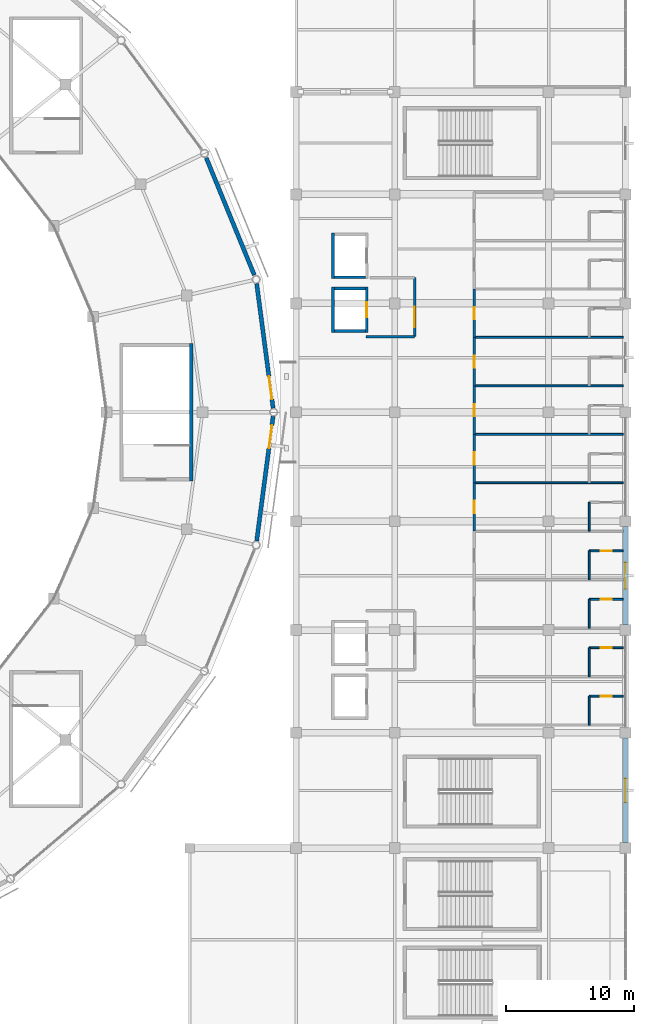
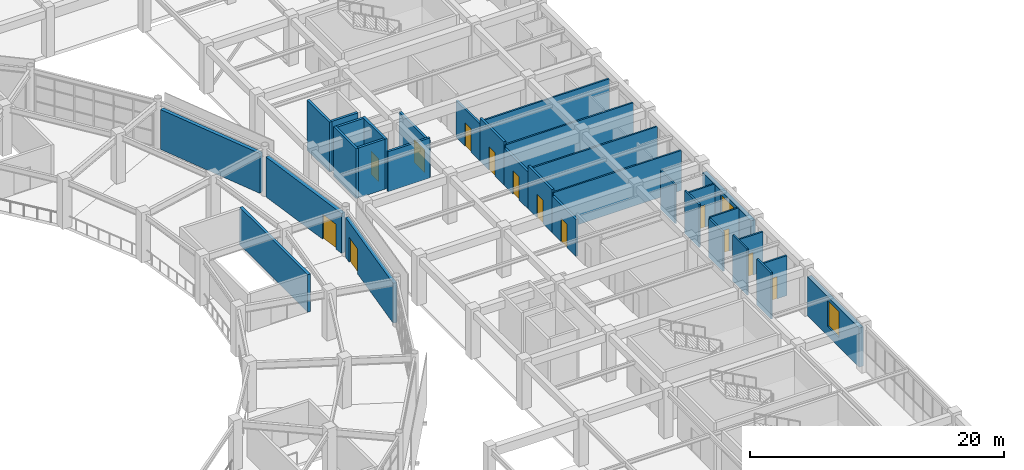
# One storey, part 88 of 112: 32 walls, 13 doors, 2 windows, 15 openings.
"""IFC4 building model written with IfcOpenShell, lengths in metres."""

from ifc_helpers import new_model, si_unit, direction, frame, frame_2d, origin, place, context, subcontext, project, spatial, rectangle, extrude, material, layer, layer_set, type_object, element, fill, save


model = new_model("IFC4")

# Units and contexts
model_context = context("Model", 3, precision=1e-05, world=origin(), true_north=direction((0.0, 1.0)))
body_context = subcontext(model_context, "Body", "Model", "MODEL_VIEW")
ifc_project = project(units=[si_unit("LENGTHUNIT", "METRE"), si_unit("AREAUNIT", "SQUARE_METRE"), si_unit("VOLUMEUNIT", "CUBIC_METRE"), si_unit("PLANEANGLEUNIT", "RADIAN"), si_unit("MASSUNIT", "GRAM", prefix="KILO")], contexts=[model_context])

# Site, building, storey
site_placement = place(None, origin())
site = spatial("IfcSite", under=ifc_project, at=site_placement, CompositionType="ELEMENT")
building_placement = place(site_placement, origin())
building = spatial("IfcBuilding", under=site, at=building_placement, Name="Cuetzalor Civic Arena", CompositionType="ELEMENT")
storey_placement = place(building_placement, frame((0.0, 0.0, 11.39990234375)))
storey = spatial("IfcBuildingStorey", under=building, at=storey_placement, Name="L02", CompositionType="ELEMENT", Elevation=11.39990234375)

# Wall, opening, door
ifc_material_1 = material(Name="Acoustic steel-stud gypsum partition", Category="steel")
ifc_layer_1 = layer(ifc_material_1, 0.14990234375)
ifc_layer_set_1 = layer_set([ifc_layer_1], Name="Acoustic steel-stud gypsum partition")
wall_type_1 = type_object("IfcWallType", Name="AcousticGypsumPartition_150", PredefinedType="PARTITIONING", material=ifc_layer_set_1)
wall_1_placement = place(storey_placement, frame((79.169921875, -22.14990234375, 0.0), z_axis=(0.0, 0.0, 1.0), x_axis=(1.0, 0.0, 0.0)))
wall_1 = element("IfcWall", 1, at=wall_1_placement, inside=storey, type_object=wall_type_1, Name="Interior Partition IWALL:L02:0317", PredefinedType="PARTITIONING", context=body_context, shape_type="SweptSolid", body=[
    extrude(rectangle(XDim=2.650146484375, YDim=0.14990234375, at=frame_2d((1.3251953125, 0.0))), origin(), (0.0, 0.0, 1.0), 3.84521484375),
])
opening_1_placement = place(wall_1_placement, frame((0.89990234375, 0.0, 0.0)))
opening_1 = element("IfcOpeningElement", 2, at=opening_1_placement, cuts=wall_1, Name="Opening ID-01", PredefinedType="OPENING", context=body_context, shape_type="SweptSolid", body=[
    extrude(rectangle(XDim=0.85009765625, YDim=2.14990234375, at=frame_2d((0.425048828125, 1.074951171875))), frame((0.0, 0.0849609375, 0.0), z_axis=(0.0, -1.0, 0.0), x_axis=(1.0, 0.0, 0.0)), (0.0, 0.0, 1.0), 0.169921875),
])
ifc_material_2 = material(Name="Painted steel frame and solid timber leaf", Category="steel")
door_type_1 = type_object("IfcDoorType", Name="InteriorSingleDoor_850x2150", OperationType="NOTDEFINED", PredefinedType="DOOR", material=ifc_material_2)
door_1_placement = place(opening_1_placement, origin())
door_1 = element("IfcDoor", 3, at=door_1_placement, inside=storey, type_object=door_type_1, Name="Door to Suite Bathroom 212", OperationType="SINGLE_SWING_LEFT", OverallHeight=2.14990234375, OverallWidth=0.85009765625, PredefinedType="DOOR", context=body_context, shape_type="SweptSolid", body=[
    extrude(rectangle(XDim=0.85009765625, YDim=2.14990234375, at=frame_2d((0.425048828125, 1.074951171875))), frame((0.0, 0.02490234375, 0.0), z_axis=(0.0, -1.0, 0.0), x_axis=(1.0, 0.0, 0.0)), (0.0, 0.0, 1.0), 0.050048828125),
])
fill(opening_1, door_1)

# Wall
wall_2_placement = place(storey_placement, frame((79.169921875, -24.39990234375, 0.0), z_axis=(0.0, 0.0, 1.0), x_axis=(0.0, 1.0, 0.0)))
element("IfcWall", 4, at=wall_2_placement, inside=storey, type_object=wall_type_1, Name="Interior Partition IWALL:L02:0318", PredefinedType="PARTITIONING", context=body_context, shape_type="SweptSolid", body=[
    extrude(rectangle(XDim=2.25, YDim=0.14990234375, at=frame_2d((1.125, 0.0))), origin(), (0.0, 0.0, 1.0), 4.440185546875),
])

# Wall, opening, door
wall_3_placement = place(storey_placement, frame((79.169921875, -18.3701171875, 0.0), z_axis=(0.0, 0.0, 1.0), x_axis=(1.0, 0.0, 0.0)))
wall_3 = element("IfcWall", 5, at=wall_3_placement, inside=storey, type_object=wall_type_1, Name="Interior Partition IWALL:L02:0321", PredefinedType="PARTITIONING", context=body_context, shape_type="SweptSolid", body=[
    extrude(rectangle(XDim=2.650146484375, YDim=0.14990234375, at=frame_2d((1.3251953125, 0.0))), origin(), (0.0, 0.0, 1.0), 3.84521484375),
])
opening_2_placement = place(wall_3_placement, frame((0.89990234375, 0.0, 0.0)))
opening_2 = element("IfcOpeningElement", 6, at=opening_2_placement, cuts=wall_3, Name="Opening ID-01", PredefinedType="OPENING", context=body_context, shape_type="SweptSolid", body=[
    extrude(rectangle(XDim=0.85009765625, YDim=2.14990234375, at=frame_2d((0.425048828125, 1.074951171875))), frame((0.0, 0.0849609375, 0.0), z_axis=(0.0, -1.0, 0.0), x_axis=(1.0, 0.0, 0.0)), (0.0, 0.0, 1.0), 0.169921875),
])
door_2_placement = place(opening_2_placement, origin())
door_2 = element("IfcDoor", 7, at=door_2_placement, inside=storey, type_object=door_type_1, Name="Door to Suite Bathroom 213", OperationType="SINGLE_SWING_LEFT", OverallHeight=2.14990234375, OverallWidth=0.85009765625, PredefinedType="DOOR", context=body_context, shape_type="SweptSolid", body=[
    extrude(rectangle(XDim=0.85009765625, YDim=2.14990234375, at=frame_2d((0.425048828125, 1.074951171875))), frame((0.0, 0.02490234375, 0.0), z_axis=(0.0, -1.0, 0.0), x_axis=(1.0, 0.0, 0.0)), (0.0, 0.0, 1.0), 0.050048828125),
])
fill(opening_2, door_2)

# Wall
wall_4_placement = place(storey_placement, frame((79.169921875, -20.6201171875, 0.0), z_axis=(0.0, 0.0, 1.0), x_axis=(0.0, 1.0, 0.0)))
element("IfcWall", 8, at=wall_4_placement, inside=storey, type_object=wall_type_1, Name="Interior Partition IWALL:L02:0322", PredefinedType="PARTITIONING", context=body_context, shape_type="SweptSolid", body=[
    extrude(rectangle(XDim=2.25, YDim=0.14990234375, at=frame_2d((1.125, 0.0))), origin(), (0.0, 0.0, 1.0), 4.440185546875),
])

# Wall, opening, door
wall_5_placement = place(storey_placement, frame((79.169921875, -14.590087890625, 0.0), z_axis=(0.0, 0.0, 1.0), x_axis=(1.0, 0.0, 0.0)))
wall_5 = element("IfcWall", 9, at=wall_5_placement, inside=storey, type_object=wall_type_1, Name="Interior Partition IWALL:L02:0325", PredefinedType="PARTITIONING", context=body_context, shape_type="SweptSolid", body=[
    extrude(rectangle(XDim=2.650146484375, YDim=0.14990234375, at=frame_2d((1.3251953125, 0.0))), origin(), (0.0, 0.0, 1.0), 3.84521484375),
])
opening_3_placement = place(wall_5_placement, frame((0.89990234375, 0.0, 0.0)))
opening_3 = element("IfcOpeningElement", 10, at=opening_3_placement, cuts=wall_5, Name="Opening ID-01", PredefinedType="OPENING", context=body_context, shape_type="SweptSolid", body=[
    extrude(rectangle(XDim=0.85009765625, YDim=2.14990234375, at=frame_2d((0.425048828125, 1.074951171875))), frame((0.0, 0.0849609375, 0.0), z_axis=(0.0, -1.0, 0.0), x_axis=(1.0, 0.0, 0.0)), (0.0, 0.0, 1.0), 0.169921875),
])
door_3_placement = place(opening_3_placement, origin())
door_3 = element("IfcDoor", 11, at=door_3_placement, inside=storey, type_object=door_type_1, Name="Door to Suite Bathroom 214", OperationType="SINGLE_SWING_LEFT", OverallHeight=2.14990234375, OverallWidth=0.85009765625, PredefinedType="DOOR", context=body_context, shape_type="SweptSolid", body=[
    extrude(rectangle(XDim=0.85009765625, YDim=2.14990234375, at=frame_2d((0.425048828125, 1.074951171875))), frame((0.0, 0.02490234375, 0.0), z_axis=(0.0, -1.0, 0.0), x_axis=(1.0, 0.0, 0.0)), (0.0, 0.0, 1.0), 0.050048828125),
])
fill(opening_3, door_3)

# Wall
wall_6_placement = place(storey_placement, frame((79.169921875, -16.840087890625, 0.0), z_axis=(0.0, 0.0, 1.0), x_axis=(0.0, 1.0, 0.0)))
element("IfcWall", 12, at=wall_6_placement, inside=storey, type_object=wall_type_1, Name="Interior Partition IWALL:L02:0326", PredefinedType="PARTITIONING", context=body_context, shape_type="SweptSolid", body=[
    extrude(rectangle(XDim=2.25, YDim=0.14990234375, at=frame_2d((1.125, 0.0))), origin(), (0.0, 0.0, 1.0), 3.7451171875),
])

# Wall, opening, door
wall_7_placement = place(storey_placement, frame((79.169921875, -10.81005859375, 0.0), z_axis=(0.0, 0.0, 1.0), x_axis=(1.0, 0.0, 0.0)))
wall_7 = element("IfcWall", 13, at=wall_7_placement, inside=storey, type_object=wall_type_1, Name="Interior Partition IWALL:L02:0329", PredefinedType="PARTITIONING", context=body_context, shape_type="SweptSolid", body=[
    extrude(rectangle(XDim=2.650146484375, YDim=0.14990234375, at=frame_2d((1.3251953125, 0.0))), origin(), (0.0, 0.0, 1.0), 3.84521484375),
])
opening_4_placement = place(wall_7_placement, frame((0.89990234375, 0.0, 0.0)))
opening_4 = element("IfcOpeningElement", 14, at=opening_4_placement, cuts=wall_7, Name="Opening ID-01", PredefinedType="OPENING", context=body_context, shape_type="SweptSolid", body=[
    extrude(rectangle(XDim=0.85009765625, YDim=2.14990234375, at=frame_2d((0.425048828125, 1.074951171875))), frame((0.0, 0.0849609375, 0.0), z_axis=(0.0, -1.0, 0.0), x_axis=(1.0, 0.0, 0.0)), (0.0, 0.0, 1.0), 0.169921875),
])
door_4_placement = place(opening_4_placement, origin())
door_4 = element("IfcDoor", 15, at=door_4_placement, inside=storey, type_object=door_type_1, Name="Door to Suite Bathroom 215", OperationType="SINGLE_SWING_LEFT", OverallHeight=2.14990234375, OverallWidth=0.85009765625, PredefinedType="DOOR", context=body_context, shape_type="SweptSolid", body=[
    extrude(rectangle(XDim=0.85009765625, YDim=2.14990234375, at=frame_2d((0.425048828125, 1.074951171875))), frame((0.0, 0.02490234375, 0.0), z_axis=(0.0, -1.0, 0.0), x_axis=(1.0, 0.0, 0.0)), (0.0, 0.0, 1.0), 0.050048828125),
])
fill(opening_4, door_4)

# Walls
wall_8_placement = place(storey_placement, frame((79.169921875, -13.06005859375, 0.0), z_axis=(0.0, 0.0, 1.0), x_axis=(0.0, 1.0, 0.0)))
element("IfcWall", 16, at=wall_8_placement, inside=storey, type_object=wall_type_1, Name="Interior Partition IWALL:L02:0330", PredefinedType="PARTITIONING", context=body_context, shape_type="SweptSolid", body=[
    extrude(rectangle(XDim=2.25, YDim=0.14990234375, at=frame_2d((1.125, 0.0))), origin(), (0.0, 0.0, 1.0), 4.14013671875),
])
wall_9_placement = place(storey_placement, frame((79.169921875, -9.280029296875, 0.0), z_axis=(0.0, 0.0, 1.0), x_axis=(0.0, 1.0, 0.0)))
element("IfcWall", 17, at=wall_9_placement, inside=storey, type_object=wall_type_1, Name="Interior Partition IWALL:L02:0334", PredefinedType="PARTITIONING", context=body_context, shape_type="SweptSolid", body=[
    extrude(rectangle(XDim=2.25, YDim=0.14990234375, at=frame_2d((1.125, 0.0))), origin(), (0.0, 0.0, 1.0), 3.7451171875),
])
for number, where, z_axis, x_axis, name in (
    (18, (70.199951171875, -5.5, 0.0), (0.0, 0.0, 1.0), (1.0, 0.0, 0.0), "Interior Partition IWALL:L02:0336"),
    (19, (70.199951171875, -1.719970703125, 0.0), (0.0, 0.0, 1.0), (1.0, 0.0, 0.0), "Interior Partition IWALL:L02:0340"),
    (20, (70.199951171875, 2.06005859375, 0.0), (0.0, 0.0, 1.0), (1.0, 0.0, 0.0), "Interior Partition IWALL:L02:0344"),
    (21, (70.199951171875, 5.840087890625, 0.0), (0.0, 0.0, 1.0), (1.0, 0.0, 0.0), "Interior Partition IWALL:L02:0348"),
):
    element("IfcWall", number, at=place(storey_placement, frame(where, z_axis=z_axis, x_axis=x_axis)), inside=storey, type_object=wall_type_1, Name=name, PredefinedType="PARTITIONING", context=body_context, shape_type="SweptSolid", body=[
        extrude(rectangle(XDim=11.6201171875, YDim=0.14990234375, at=frame_2d((5.81005859375, 0.0))), origin(), (0.0, 0.0, 1.0), 3.84521484375),
    ])
ifc_material_3 = material(Name="Concrete C40/50", Category="concrete")
ifc_layer_2 = layer(ifc_material_3, 0.25)
ifc_layer_set_2 = layer_set([ifc_layer_2], Name="Concrete C40/50")
wall_type_2 = type_object("IfcWallType", Name="ConcreteCoreShearWall_250", PredefinedType="SHEAR", material=ifc_layer_set_2)
wall_10_placement = place(storey_placement, frame((48.125, 5.35009765625, 0.0), z_axis=(0.0, 0.0, 1.0), x_axis=(0.0, -1.0, 0.0)))
element("IfcWall", 22, at=wall_10_placement, inside=storey, type_object=wall_type_2, Name="Stair Core Shear Wall ST-01-L02-E", PredefinedType="SHEAR", context=body_context, shape_type="SweptSolid", body=[
    extrude(rectangle(XDim=10.7001953125, YDim=0.25, at=frame_2d((5.35009765625, 0.0))), origin(), (0.0, 0.0, 1.0), 3.60009765625),
])

# Wall, opening, door
ifc_material_4 = material(Name="Fire-rated masonry and gypsum partition", Category="masonry")
ifc_layer_3 = layer(ifc_material_4, 0.199951171875)
ifc_layer_set_3 = layer_set([ifc_layer_3], Name="Fire-rated masonry and gypsum partition")
wall_type_3 = type_object("IfcWallType", Name="FireCompartmentWall_200", PredefinedType="PARTITIONING", material=ifc_layer_set_3)
wall_11_placement = place(storey_placement, frame((65.550048828125, 10.5, 0.0), z_axis=(0.0, 0.0, 1.0), x_axis=(0.0, -1.0, 0.0)))
wall_11 = element("IfcWall", 23, at=wall_11_placement, inside=storey, type_object=wall_type_3, Name="Interior Partition IWALL:L02:0061", PredefinedType="PARTITIONING", context=body_context, shape_type="SweptSolid", body=[
    extrude(rectangle(XDim=4.60009765625, YDim=0.199951171875, at=frame_2d((2.300048828125, 0.0))), origin(), (0.0, 0.0, 1.0), 3.545166015625),
])
opening_5_placement = place(wall_11_placement, frame((2.25, 0.0, 0.0)))
opening_5 = element("IfcOpeningElement", 24, at=opening_5_placement, cuts=wall_11, Name="Opening FD-05", PredefinedType="OPENING", context=body_context, shape_type="SweptSolid", body=[
    extrude(rectangle(XDim=1.60009765625, YDim=2.199951171875, at=frame_2d((0.800048828125, 1.10009765625))), frame((0.0, 0.10986328125, 0.0), z_axis=(0.0, -1.0, 0.0), x_axis=(1.0, 0.0, 0.0)), (0.0, 0.0, 1.0), 0.219970703125),
])
ifc_material_5 = material(Name="Fire-rated smoke-seal lobby double door", Category="steel")
door_type_2 = type_object("IfcDoorType", Name="FireLobbyDoubleDoor_1600x2200", OperationType="DOUBLE_DOOR_SINGLE_SWING", PredefinedType="DOOR", material=ifc_material_5)
door_5_placement = place(opening_5_placement, origin())
door_5 = element("IfcDoor", 25, at=door_5_placement, inside=storey, type_object=door_type_2, Name="Door to Firefighting Lift Lobby LF-04 L02", OperationType="DOUBLE_DOOR_SINGLE_SWING", OverallHeight=2.199951171875, OverallWidth=1.60009765625, PredefinedType="DOOR", context=body_context, shape_type="SweptSolid", body=[
    extrude(rectangle(XDim=1.60009765625, YDim=2.199951171875, at=frame_2d((0.800048828125, 1.10009765625))), frame((0.0, 0.02490234375, 0.0), z_axis=(0.0, -1.0, 0.0), x_axis=(1.0, 0.0, 0.0)), (0.0, 0.0, 1.0), 0.050048828125),
])
fill(opening_5, door_5)

# Wall
wall_12_placement = place(storey_placement, frame((65.550048828125, 5.89990234375, 0.0), z_axis=(0.0, 0.0, 1.0), x_axis=(-1.0, 0.0, 0.0)))
element("IfcWall", 26, at=wall_12_placement, inside=storey, type_object=wall_type_3, Name="Interior Partition IWALL:L02:0063", PredefinedType="PARTITIONING", context=body_context, shape_type="SweptSolid", body=[
    extrude(rectangle(XDim=3.800048828125, YDim=0.199951171875, at=frame_2d((1.89990234375, 0.0))), origin(), (0.0, 0.0, 1.0), 3.84521484375),
])

# Wall, opening, door
wall_13_placement = place(storey_placement, frame((70.199951171875, -9.280029296875, 0.0), z_axis=(0.0, 0.0, 1.0), x_axis=(0.0, 1.0, 0.0)))
wall_13 = element("IfcWall", 27, at=wall_13_placement, inside=storey, type_object=wall_type_3, Name="Interior Partition IWALL:L02:0335", PredefinedType="PARTITIONING", context=body_context, shape_type="SweptSolid", body=[
    extrude(rectangle(XDim=3.780029296875, YDim=0.199951171875, at=frame_2d((1.89013671875, 0.0))), origin(), (0.0, 0.0, 1.0), 3.545166015625),
])
opening_6_placement = place(wall_13_placement, frame((1.4150390625, 0.0, 0.0)))
opening_6 = element("IfcOpeningElement", 28, at=opening_6_placement, cuts=wall_13, Name="Opening ID-05", PredefinedType="OPENING", context=body_context, shape_type="SweptSolid", body=[
    extrude(rectangle(XDim=0.949951171875, YDim=2.25, at=frame_2d((0.47509765625, 1.125))), frame((0.0, 0.10986328125, 0.0), z_axis=(0.0, -1.0, 0.0), x_axis=(1.0, 0.0, 0.0)), (0.0, 0.0, 1.0), 0.219970703125),
])
ifc_material_6 = material(Name="Bronze-clad fire-rated acoustic timber door", Category="wood")
door_type_3 = type_object("IfcDoorType", Name="SuiteEntryDoor_950x2150", OperationType="NOTDEFINED", PredefinedType="DOOR", material=ifc_material_6)
door_6_placement = place(opening_6_placement, origin())
door_6 = element("IfcDoor", 29, at=door_6_placement, inside=storey, type_object=door_type_3, Name="Door to Private Viewing Suite 216", OperationType="SINGLE_SWING_RIGHT", OverallHeight=2.25, OverallWidth=0.949951171875, PredefinedType="DOOR", context=body_context, shape_type="SweptSolid", body=[
    extrude(rectangle(XDim=0.949951171875, YDim=2.25, at=frame_2d((0.47509765625, 1.125))), frame((0.0, 0.02490234375, 0.0), z_axis=(0.0, -1.0, 0.0), x_axis=(1.0, 0.0, 0.0)), (0.0, 0.0, 1.0), 0.050048828125),
])
fill(opening_6, door_6)

wall_14_placement = place(storey_placement, frame((70.199951171875, -5.5, 0.0), z_axis=(0.0, 0.0, 1.0), x_axis=(0.0, 1.0, 0.0)))
wall_14 = element("IfcWall", 30, at=wall_14_placement, inside=storey, type_object=wall_type_3, Name="Interior Partition IWALL:L02:0339", PredefinedType="PARTITIONING", context=body_context, shape_type="SweptSolid", body=[
    extrude(rectangle(XDim=3.780029296875, YDim=0.199951171875, at=frame_2d((1.89013671875, 0.0))), origin(), (0.0, 0.0, 1.0), 4.14013671875),
])
opening_7_placement = place(wall_14_placement, frame((1.4150390625, 0.0, 0.0)))
opening_7 = element("IfcOpeningElement", 31, at=opening_7_placement, cuts=wall_14, Name="Opening ID-05", PredefinedType="OPENING", context=body_context, shape_type="SweptSolid", body=[
    extrude(rectangle(XDim=0.949951171875, YDim=2.25, at=frame_2d((0.47509765625, 1.125))), frame((0.0, 0.10986328125, 0.0), z_axis=(0.0, -1.0, 0.0), x_axis=(1.0, 0.0, 0.0)), (0.0, 0.0, 1.0), 0.219970703125),
])
door_7_placement = place(opening_7_placement, origin())
door_7 = element("IfcDoor", 32, at=door_7_placement, inside=storey, type_object=door_type_3, Name="Door to Private Viewing Suite 217", OperationType="SINGLE_SWING_RIGHT", OverallHeight=2.25, OverallWidth=0.949951171875, PredefinedType="DOOR", context=body_context, shape_type="SweptSolid", body=[
    extrude(rectangle(XDim=0.949951171875, YDim=2.25, at=frame_2d((0.47509765625, 1.125))), frame((0.0, 0.02490234375, 0.0), z_axis=(0.0, -1.0, 0.0), x_axis=(1.0, 0.0, 0.0)), (0.0, 0.0, 1.0), 0.050048828125),
])
fill(opening_7, door_7)

wall_15_placement = place(storey_placement, frame((70.199951171875, -1.719970703125, 0.0), z_axis=(0.0, 0.0, 1.0), x_axis=(0.0, 1.0, 0.0)))
wall_15 = element("IfcWall", 33, at=wall_15_placement, inside=storey, type_object=wall_type_3, Name="Interior Partition IWALL:L02:0343", PredefinedType="PARTITIONING", context=body_context, shape_type="SweptSolid", body=[
    extrude(rectangle(XDim=3.780029296875, YDim=0.199951171875, at=frame_2d((1.89013671875, 0.0))), origin(), (0.0, 0.0, 1.0), 3.545166015625),
])
opening_8_placement = place(wall_15_placement, frame((1.4150390625, 0.0, 0.0)))
opening_8 = element("IfcOpeningElement", 34, at=opening_8_placement, cuts=wall_15, Name="Opening ID-05", PredefinedType="OPENING", context=body_context, shape_type="SweptSolid", body=[
    extrude(rectangle(XDim=0.949951171875, YDim=2.25, at=frame_2d((0.47509765625, 1.125))), frame((0.0, 0.10986328125, 0.0), z_axis=(0.0, -1.0, 0.0), x_axis=(1.0, 0.0, 0.0)), (0.0, 0.0, 1.0), 0.219970703125),
])
door_8_placement = place(opening_8_placement, origin())
door_8 = element("IfcDoor", 35, at=door_8_placement, inside=storey, type_object=door_type_3, Name="Door to Private Viewing Suite 218", OperationType="SINGLE_SWING_RIGHT", OverallHeight=2.25, OverallWidth=0.949951171875, PredefinedType="DOOR", context=body_context, shape_type="SweptSolid", body=[
    extrude(rectangle(XDim=0.949951171875, YDim=2.25, at=frame_2d((0.47509765625, 1.125))), frame((0.0, 0.02490234375, 0.0), z_axis=(0.0, -1.0, 0.0), x_axis=(1.0, 0.0, 0.0)), (0.0, 0.0, 1.0), 0.050048828125),
])
fill(opening_8, door_8)

wall_16_placement = place(storey_placement, frame((70.199951171875, 2.06005859375, 0.0), z_axis=(0.0, 0.0, 1.0), x_axis=(0.0, 1.0, 0.0)))
wall_16 = element("IfcWall", 36, at=wall_16_placement, inside=storey, type_object=wall_type_3, Name="Interior Partition IWALL:L02:0347", PredefinedType="PARTITIONING", context=body_context, shape_type="SweptSolid", body=[
    extrude(rectangle(XDim=3.780029296875, YDim=0.199951171875, at=frame_2d((1.89013671875, 0.0))), origin(), (0.0, 0.0, 1.0), 4.14013671875),
])
opening_9_placement = place(wall_16_placement, frame((1.4150390625, 0.0, 0.0)))
opening_9 = element("IfcOpeningElement", 37, at=opening_9_placement, cuts=wall_16, Name="Opening ID-05", PredefinedType="OPENING", context=body_context, shape_type="SweptSolid", body=[
    extrude(rectangle(XDim=0.949951171875, YDim=2.25, at=frame_2d((0.47509765625, 1.125))), frame((0.0, 0.10986328125, 0.0), z_axis=(0.0, -1.0, 0.0), x_axis=(1.0, 0.0, 0.0)), (0.0, 0.0, 1.0), 0.219970703125),
])
door_9_placement = place(opening_9_placement, origin())
door_9 = element("IfcDoor", 38, at=door_9_placement, inside=storey, type_object=door_type_3, Name="Door to Private Viewing Suite 219", OperationType="SINGLE_SWING_RIGHT", OverallHeight=2.25, OverallWidth=0.949951171875, PredefinedType="DOOR", context=body_context, shape_type="SweptSolid", body=[
    extrude(rectangle(XDim=0.949951171875, YDim=2.25, at=frame_2d((0.47509765625, 1.125))), frame((0.0, 0.02490234375, 0.0), z_axis=(0.0, -1.0, 0.0), x_axis=(1.0, 0.0, 0.0)), (0.0, 0.0, 1.0), 0.050048828125),
])
fill(opening_9, door_9)

wall_17_placement = place(storey_placement, frame((70.199951171875, 5.840087890625, 0.0), z_axis=(0.0, 0.0, 1.0), x_axis=(0.0, 1.0, 0.0)))
wall_17 = element("IfcWall", 39, at=wall_17_placement, inside=storey, type_object=wall_type_3, Name="Interior Partition IWALL:L02:0351", PredefinedType="PARTITIONING", context=body_context, shape_type="SweptSolid", body=[
    extrude(rectangle(XDim=3.780029296875, YDim=0.199951171875, at=frame_2d((1.89013671875, 0.0))), origin(), (0.0, 0.0, 1.0), 3.545166015625),
])
opening_10_placement = place(wall_17_placement, frame((1.4150390625, 0.0, 0.0)))
opening_10 = element("IfcOpeningElement", 40, at=opening_10_placement, cuts=wall_17, Name="Opening ID-05", PredefinedType="OPENING", context=body_context, shape_type="SweptSolid", body=[
    extrude(rectangle(XDim=0.949951171875, YDim=2.25, at=frame_2d((0.47509765625, 1.125))), frame((0.0, 0.10986328125, 0.0), z_axis=(0.0, -1.0, 0.0), x_axis=(1.0, 0.0, 0.0)), (0.0, 0.0, 1.0), 0.219970703125),
])
door_10_placement = place(opening_10_placement, origin())
door_10 = element("IfcDoor", 41, at=door_10_placement, inside=storey, type_object=door_type_3, Name="Door to Private Viewing Suite 220", OperationType="SINGLE_SWING_RIGHT", OverallHeight=2.25, OverallWidth=0.949951171875, PredefinedType="DOOR", context=body_context, shape_type="SweptSolid", body=[
    extrude(rectangle(XDim=0.949951171875, YDim=2.25, at=frame_2d((0.47509765625, 1.125))), frame((0.0, 0.02490234375, 0.0), z_axis=(0.0, -1.0, 0.0), x_axis=(1.0, 0.0, 0.0)), (0.0, 0.0, 1.0), 0.050048828125),
])
fill(opening_10, door_10)

ifc_material_7 = material(Name="Precast concrete C40/50 insulated cladding", Category="concrete")
ifc_layer_4 = layer(ifc_material_7, 0.320068359375)
ifc_layer_set_4 = layer_set([ifc_layer_4], Name="Precast concrete C40/50 insulated cladding")
wall_type_4 = type_object("IfcWallType", Name="InsulatedPrecastWall_320", PredefinedType="SOLIDWALL", material=ifc_layer_set_4)
wall_18_placement = place(storey_placement, frame((53.224853515625, 10.036865234375, 0.0), z_axis=(0.0, 0.0, 1.0), x_axis=(0.130894016981, -0.991396366908, 0.0)))
wall_18 = element("IfcWall", 42, at=wall_18_placement, inside=storey, type_object=wall_type_4, Name="Drum Acoustic Backing Wall L02-025", PredefinedType="SOLIDWALL", context=body_context, shape_type="SweptSolid", body=[
    extrude(rectangle(XDim=9.799560546875, YDim=0.320068359375, at=frame_2d((4.89990234375, 0.0))), origin(), (0.0, 0.0, 1.0), 3.83203125),
])
opening_11_placement = place(wall_18_placement, frame((7.299560546875, 0.0, 0.0)))
opening_11 = element("IfcOpeningElement", 43, at=opening_11_placement, cuts=wall_18, Name="Opening ED-09", PredefinedType="OPENING", context=body_context, shape_type="SweptSolid", body=[
    extrude(rectangle(XDim=1.800048828125, YDim=2.39990234375, at=frame_2d((0.89990234375, 1.199951171875))), frame((0.0, 0.169921875, 0.0), z_axis=(0.0, -1.0, 0.0), x_axis=(1.0, 0.0, 0.0)), (0.0, 0.0, 1.0), 0.340087890625),
])
ifc_material_8 = material(Name="Thermally broken bronze steel and laminated glass", Category="steel")
door_type_4 = type_object("IfcDoorType", Name="RoofGardenGlazedDoor_1800x2400", OperationType="DOUBLE_DOOR_SINGLE_SWING", PredefinedType="DOOR", material=ifc_material_8)
door_11_placement = place(opening_11_placement, origin())
door_11 = element("IfcDoor", 44, at=door_11_placement, inside=storey, type_object=door_type_4, Name="Seismic Bridge Circulation Door L02-S01", OperationType="DOUBLE_DOOR_SINGLE_SWING", OverallHeight=2.39990234375, OverallWidth=1.800048828125, PredefinedType="DOOR", context=body_context, shape_type="SweptSolid", body=[
    extrude(rectangle(XDim=1.800048828125, YDim=2.39990234375, at=frame_2d((0.89990234375, 1.199951171875))), frame((0.0, 0.02490234375, 0.0), z_axis=(0.0, -1.0, 0.0), x_axis=(1.0, 0.0, 0.0)), (0.0, 0.0, 1.0), 0.050048828125),
])
fill(opening_11, door_11)

# Wall
wall_19_placement = place(storey_placement, frame((49.2919921875, 19.845703125, 0.0), z_axis=(0.0, 0.0, 1.0), x_axis=(0.379382703047, -0.925239841678, 0.0)))
element("IfcWall", 45, at=wall_19_placement, inside=storey, type_object=wall_type_4, Name="Drum Acoustic Backing Wall L02-026", PredefinedType="SOLIDWALL", context=body_context, shape_type="SweptSolid", body=[
    extrude(rectangle(XDim=9.874267578125, YDim=0.320068359375, at=frame_2d((4.93701171875, 0.0))), origin(), (0.0, 0.0, 1.0), 3.83203125),
])

# Wall, opening, door
wall_20_placement = place(storey_placement, frame((54.507568359375, -0.321533203125, 0.0), z_axis=(0.0, 0.0, 1.0), x_axis=(-0.130894016981, -0.991396366908, 0.0)))
wall_20 = element("IfcWall", 46, at=wall_20_placement, inside=storey, type_object=wall_type_4, Name="Drum Acoustic Backing Wall L02-040", PredefinedType="SOLIDWALL", context=body_context, shape_type="SweptSolid", body=[
    extrude(rectangle(XDim=9.799560546875, YDim=0.320068359375, at=frame_2d((4.89990234375, 0.0))), origin(), (0.0, 0.0, 1.0), 3.83203125),
])
opening_12_placement = place(wall_20_placement, frame((0.699951171875, 0.0, 0.0)))
opening_12 = element("IfcOpeningElement", 47, at=opening_12_placement, cuts=wall_20, Name="Opening ED-09", PredefinedType="OPENING", context=body_context, shape_type="SweptSolid", body=[
    extrude(rectangle(XDim=1.800048828125, YDim=2.39990234375, at=frame_2d((0.89990234375, 1.199951171875))), frame((0.0, 0.169921875, 0.0), z_axis=(0.0, -1.0, 0.0), x_axis=(1.0, 0.0, 0.0)), (0.0, 0.0, 1.0), 0.340087890625),
])
door_12_placement = place(opening_12_placement, origin())
door_12 = element("IfcDoor", 48, at=door_12_placement, inside=storey, type_object=door_type_4, Name="Seismic Bridge Circulation Door L02-S28", OperationType="DOUBLE_DOOR_SINGLE_SWING", OverallHeight=2.39990234375, OverallWidth=1.800048828125, PredefinedType="DOOR", context=body_context, shape_type="SweptSolid", body=[
    extrude(rectangle(XDim=1.800048828125, YDim=2.39990234375, at=frame_2d((0.89990234375, 1.199951171875))), frame((0.0, 0.02490234375, 0.0), z_axis=(0.0, -1.0, 0.0), x_axis=(1.0, 0.0, 0.0)), (0.0, 0.0, 1.0), 0.050048828125),
])
fill(opening_12, door_12)

# Walls
ifc_material_9 = material(Name="Concrete C40/50", Category="concrete")
ifc_layer_5 = layer(ifc_material_9, 0.219970703125)
ifc_layer_set_5 = layer_set([ifc_layer_5], Name="Concrete C40/50")
wall_type_5 = type_object("IfcWallType", Name="LiftShaftShearWall_220", PredefinedType="SHEAR", material=ifc_layer_set_5)
wall_21_placement = place(storey_placement, frame((59.18994140625, 6.22998046875, 0.0), z_axis=(0.0, 0.0, 1.0), x_axis=(0.0, 1.0, 0.0)))
element("IfcWall", 49, at=wall_21_placement, inside=storey, type_object=wall_type_5, Name="Lift Shaft Wall LF-04-L02-W", PredefinedType="SHEAR", context=body_context, shape_type="SweptSolid", body=[
    extrude(rectangle(XDim=3.5400390625, YDim=0.219970703125, at=frame_2d((1.77001953125, 0.0))), origin(), (0.0, 0.0, 1.0), 4.800048828125),
])
wall_22_placement = place(storey_placement, frame((59.300048828125, 9.659912109375, 0.0), z_axis=(0.0, 0.0, 1.0), x_axis=(1.0, 0.0, 0.0)))
element("IfcWall", 50, at=wall_22_placement, inside=storey, type_object=wall_type_5, Name="Lift Shaft Wall LF-04-L02-N", PredefinedType="SHEAR", context=body_context, shape_type="SweptSolid", body=[
    extrude(rectangle(XDim=2.39990234375, YDim=0.219970703125, at=frame_2d((1.199951171875, 0.0))), origin(), (0.0, 0.0, 1.0), 4.800048828125),
])

# Wall, opening, door
wall_23_placement = place(storey_placement, frame((61.81005859375, 9.77001953125, 0.0), z_axis=(0.0, 0.0, 1.0), x_axis=(0.0, -1.0, 0.0)))
wall_23 = element("IfcWall", 51, at=wall_23_placement, inside=storey, type_object=wall_type_5, Name="Lift Shaft Wall LF-04-L02-E", PredefinedType="SHEAR", context=body_context, shape_type="SweptSolid", body=[
    extrude(rectangle(XDim=3.5400390625, YDim=0.219970703125, at=frame_2d((1.77001953125, 0.0))), origin(), (0.0, 0.0, 1.0), 4.800048828125),
])
opening_13_placement = place(wall_23_placement, frame((1.169921875, 0.0, 0.0)))
opening_13 = element("IfcOpeningElement", 52, at=opening_13_placement, cuts=wall_23, Name="Opening LD-02", PredefinedType="OPENING", context=body_context, shape_type="SweptSolid", body=[
    extrude(rectangle(XDim=1.199951171875, YDim=2.199951171875, at=frame_2d((0.60009765625, 1.10009765625))), frame((0.0, 0.1201171875, 0.0), z_axis=(0.0, -1.0, 0.0), x_axis=(1.0, 0.0, 0.0)), (0.0, 0.0, 1.0), 0.239990234375),
])
ifc_material_10 = material(Name="Fire-rated stainless steel sliding lift landing door", Category="steel")
door_type_5 = type_object("IfcDoorType", Name="LiftLandingSlidingDoor_1200x2200", OperationType="SLIDING_TO_LEFT", PredefinedType="DOOR", material=ifc_material_10)
door_13_placement = place(opening_13_placement, origin())
door_13 = element("IfcDoor", 53, at=door_13_placement, inside=storey, type_object=door_type_5, Name="Lift Landing Sliding Door LF-04 L02", OperationType="SLIDING_TO_LEFT", OverallHeight=2.199951171875, OverallWidth=1.199951171875, PredefinedType="DOOR", context=body_context, shape_type="SweptSolid", body=[
    extrude(rectangle(XDim=1.199951171875, YDim=2.199951171875, at=frame_2d((0.60009765625, 1.10009765625))), frame((0.0, 0.02490234375, 0.0), z_axis=(0.0, -1.0, 0.0), x_axis=(1.0, 0.0, 0.0)), (0.0, 0.0, 1.0), 0.050048828125),
])
fill(opening_13, door_13)

# Walls
wall_24_placement = place(storey_placement, frame((61.699951171875, 6.340087890625, 0.0), z_axis=(0.0, 0.0, 1.0), x_axis=(-1.0, 0.0, 0.0)))
element("IfcWall", 54, at=wall_24_placement, inside=storey, type_object=wall_type_5, Name="Lift Shaft Wall LF-04-L02-S", PredefinedType="SHEAR", context=body_context, shape_type="SweptSolid", body=[
    extrude(rectangle(XDim=2.39990234375, YDim=0.219970703125, at=frame_2d((1.199951171875, 0.0))), origin(), (0.0, 0.0, 1.0), 4.800048828125),
])
wall_25_placement = place(storey_placement, frame((59.18994140625, 10.429931640625, 0.0), z_axis=(0.0, 0.0, 1.0), x_axis=(0.0, 1.0, 0.0)))
element("IfcWall", 55, at=wall_25_placement, inside=storey, type_object=wall_type_5, Name="Lift Shaft Wall LP-06-L02-W", PredefinedType="SHEAR", context=body_context, shape_type="SweptSolid", body=[
    extrude(rectangle(XDim=3.5400390625, YDim=0.219970703125, at=frame_2d((1.77001953125, 0.0))), origin(), (0.0, 0.0, 1.0), 4.800048828125),
])
wall_26_placement = place(storey_placement, frame((61.699951171875, 10.5400390625, 0.0), z_axis=(0.0, 0.0, 1.0), x_axis=(-1.0, 0.0, 0.0)))
element("IfcWall", 56, at=wall_26_placement, inside=storey, type_object=wall_type_5, Name="Lift Shaft Wall LP-06-L02-S", PredefinedType="SHEAR", context=body_context, shape_type="SweptSolid", body=[
    extrude(rectangle(XDim=2.39990234375, YDim=0.219970703125, at=frame_2d((1.199951171875, 0.0))), origin(), (0.0, 0.0, 1.0), 4.800048828125),
])

# Wall, opening, window
ifc_material_11 = material(Name="Polychrome Talavera ceramic on Concrete C35/45", Category="concrete")
ifc_layer_6 = layer(ifc_material_11, 0.3798828125)
ifc_layer_set_6 = layer_set([ifc_layer_6], Name="Polychrome Talavera ceramic on Concrete C35/45")
wall_type_6 = type_object("IfcWallType", Name="TalaveraSpandrelWall_380", PredefinedType="SOLIDWALL", material=ifc_layer_set_6)
wall_27_placement = place(storey_placement, frame((82.0, -25.406982421875, 0.0), z_axis=(0.0, 0.0, 1.0), x_axis=(0.0, -1.0, 0.0)))
wall_27 = element("IfcWall", 57, at=wall_27_placement, inside=storey, type_object=wall_type_6, Name="V4E Outer Talavera Wall L02-165", PredefinedType="SOLIDWALL", context=body_context, shape_type="SweptSolid", body=[
    extrude(rectangle(XDim=8.18603515625, YDim=0.3798828125, at=frame_2d((4.093017578125, 0.0))), origin(), (0.0, 0.0, 1.0), 3.760009765625),
])
opening_14_placement = place(wall_27_placement, frame((3.16796875, 0.0, 0.89990234375)))
opening_14 = element("IfcOpeningElement", 58, at=opening_14_placement, cuts=wall_27, Name="Opening WN-50", PredefinedType="OPENING", context=body_context, shape_type="SweptSolid", body=[
    extrude(rectangle(XDim=1.85009765625, YDim=2.5, at=frame_2d((0.925048828125, 1.25))), frame((0.0, 0.199951171875, 0.0), z_axis=(0.0, -1.0, 0.0), x_axis=(1.0, 0.0, 0.0)), (0.0, 0.0, 1.0), 0.39990234375),
])
ifc_material_12 = material(Name="Anodised bronze aluminium and low-E solar glass", Category="aluminium")
window_type_1 = type_object("IfcWindowType", Name="BronzeThermalWindow_1850x2500", PartitioningType="SINGLE_PANEL", PredefinedType="WINDOW", material=ifc_material_12)
window_1_placement = place(opening_14_placement, origin())
window_1 = element("IfcWindow", 59, at=window_1_placement, inside=storey, type_object=window_type_1, Name="V4E Facade Window L02-0050", OverallHeight=2.5, OverallWidth=1.85009765625, PartitioningType="SINGLE_PANEL", PredefinedType="WINDOW", context=body_context, shape_type="SweptSolid", body=[
    extrude(rectangle(XDim=1.85009765625, YDim=2.5, at=frame_2d((0.925048828125, 1.25))), frame((0.0, 0.030029296875, 0.0), z_axis=(0.0, -1.0, 0.0), x_axis=(1.0, 0.0, 0.0)), (0.0, 0.0, 1.0), 0.06005859375),
])
fill(opening_14, window_1)

wall_28_placement = place(storey_placement, frame((82.0, -8.906982421875, 0.0), z_axis=(0.0, 0.0, 1.0), x_axis=(0.0, -1.0, 0.0)))
wall_28 = element("IfcWall", 60, at=wall_28_placement, inside=storey, type_object=wall_type_6, Name="V4E Outer Talavera Wall L02-166", PredefinedType="SOLIDWALL", context=body_context, shape_type="SweptSolid", body=[
    extrude(rectangle(XDim=7.68603515625, YDim=0.3798828125, at=frame_2d((3.843017578125, 0.0))), origin(), (0.0, 0.0, 1.0), 3.760009765625),
])
opening_15_placement = place(wall_28_placement, frame((2.818115234375, 0.0, 0.89990234375)))
opening_15 = element("IfcOpeningElement", 61, at=opening_15_placement, cuts=wall_28, Name="Opening WN-51", PredefinedType="OPENING", context=body_context, shape_type="SweptSolid", body=[
    extrude(rectangle(XDim=2.050048828125, YDim=2.5, at=frame_2d((1.02490234375, 1.25))), frame((0.0, 0.199951171875, 0.0), z_axis=(0.0, -1.0, 0.0), x_axis=(1.0, 0.0, 0.0)), (0.0, 0.0, 1.0), 0.39990234375),
])
ifc_material_13 = material(Name="Anodised bronze aluminium and low-E solar glass", Category="aluminium")
window_type_2 = type_object("IfcWindowType", Name="BronzeThermalWindow_2050x2500", PartitioningType="DOUBLE_PANEL_VERTICAL", PredefinedType="WINDOW", material=ifc_material_13)
window_2_placement = place(opening_15_placement, origin())
window_2 = element("IfcWindow", 62, at=window_2_placement, inside=storey, type_object=window_type_2, Name="V4E Facade Window L02-0051", OverallHeight=2.5, OverallWidth=2.050048828125, PartitioningType="SINGLE_PANEL", PredefinedType="WINDOW", context=body_context, shape_type="SweptSolid", body=[
    extrude(rectangle(XDim=2.050048828125, YDim=2.5, at=frame_2d((1.02490234375, 1.25))), frame((0.0, 0.030029296875, 0.0), z_axis=(0.0, -1.0, 0.0), x_axis=(1.0, 0.0, 0.0)), (0.0, 0.0, 1.0), 0.06005859375),
])
fill(opening_15, window_2)

save(model, "model.ifc")
